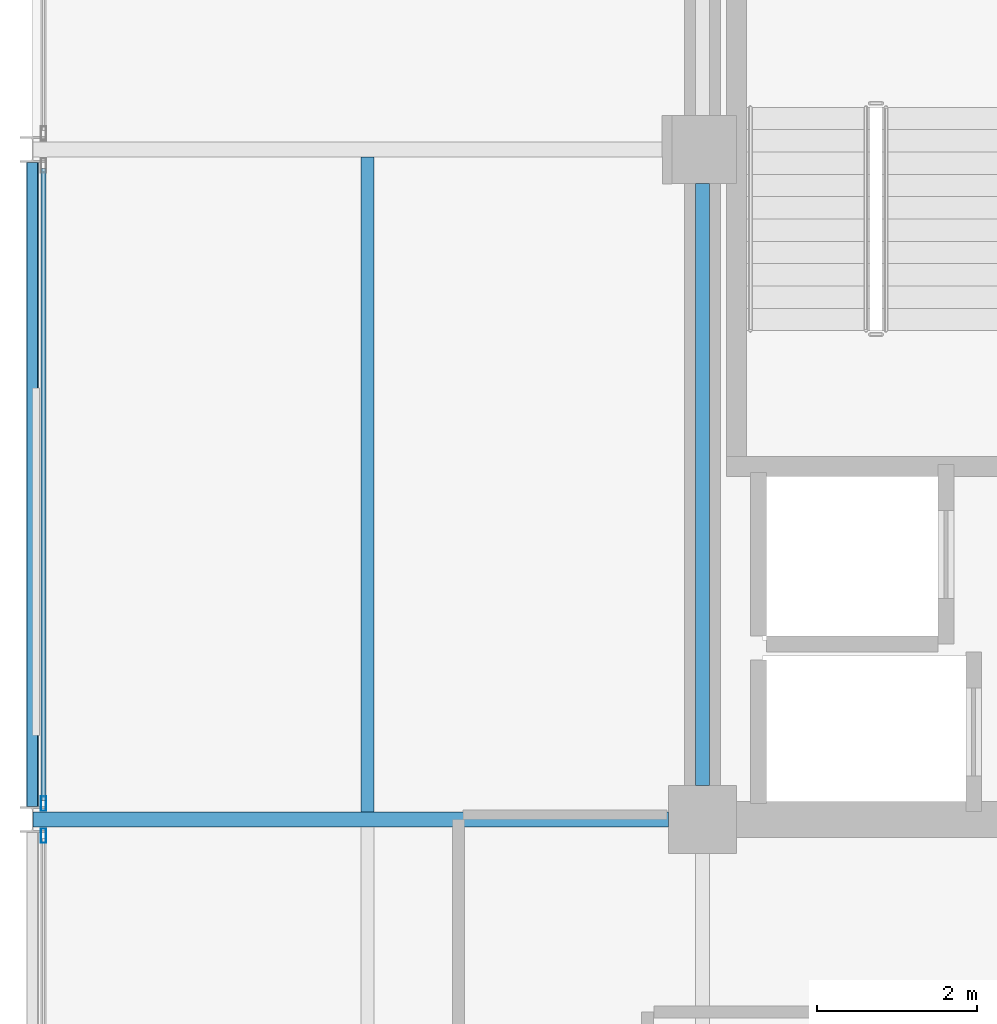
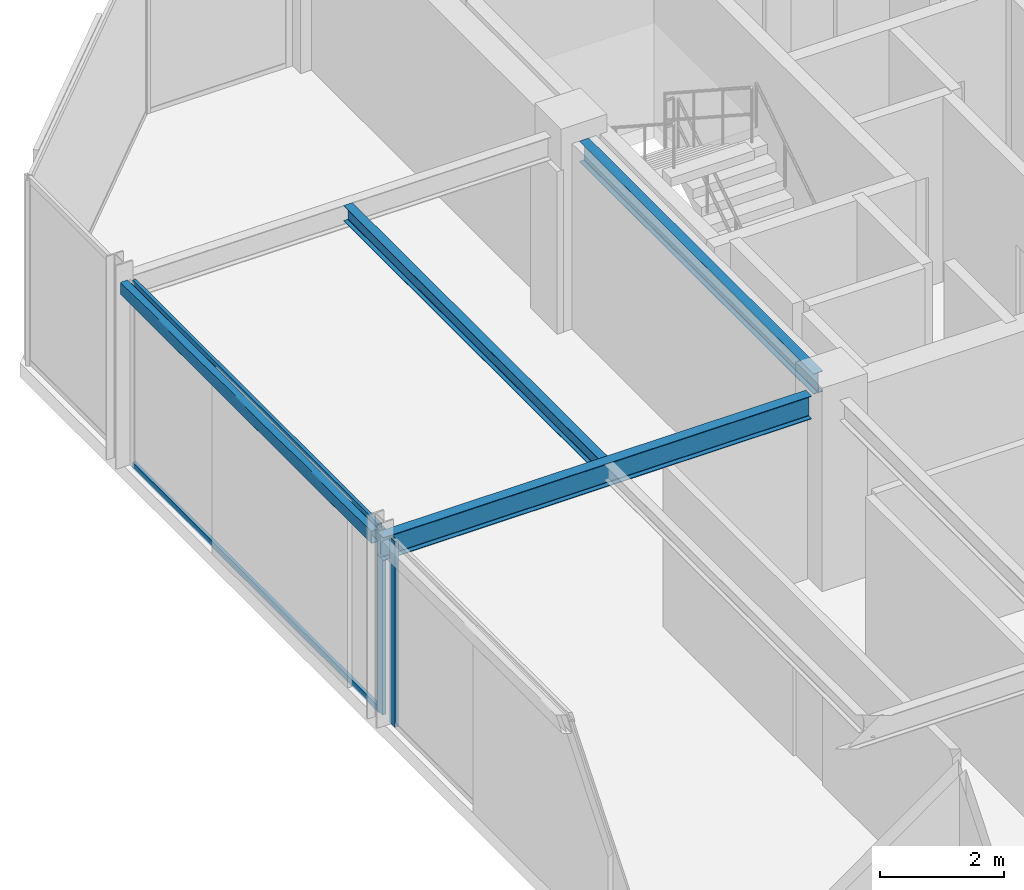
# One storey, part 11 of 26: 4 beams, 4 members, 2 elements without a shape of their own.
"""IFC4 building model written with IfcOpenShell, lengths in metres."""

from ifc_helpers import new_model, si_unit, direction, frame, origin, origin_2d, place, context, subcontext, project, spatial, hollow_rectangle, i_section, extrude, material, layer, layer_set, material_profile, profile_set, type_object, element, aggregate, save


model = new_model("IFC4")

# Units and contexts
model_context = context("Model", 3, precision=1e-05, world=origin(), true_north=direction((0.0, 1.0)))
body_context = subcontext(model_context, "Body", "Model", "MODEL_VIEW")
ifc_project = project(units=[si_unit("LENGTHUNIT", "METRE"), si_unit("AREAUNIT", "SQUARE_METRE"), si_unit("VOLUMEUNIT", "CUBIC_METRE"), si_unit("PLANEANGLEUNIT", "RADIAN"), si_unit("MASSUNIT", "GRAM", prefix="KILO")], contexts=[model_context])

# Site, building, storey
site_placement = place(None, origin())
site = spatial("IfcSite", under=ifc_project, at=site_placement, CompositionType="ELEMENT")
building_placement = place(site_placement, origin())
building = spatial("IfcBuilding", under=site, at=building_placement, Name="Nerrivon Quay Data Exchange", CompositionType="ELEMENT")
storey_placement = place(building_placement, frame((0.0, 0.0, 282.199951171875)))
storey = spatial("IfcBuildingStorey", under=building, at=storey_placement, Name="L67", CompositionType="ELEMENT", Elevation=282.199951171875)

# Beams
ifc_material_1 = material(Name="Steel Grade 350", Category="steel")
ifc_material_profile_1 = material_profile(ifc_material_1, i_section(OverallWidth=0.18994140625, OverallDepth=0.4541015625, WebThickness=0.008544921875, FlangeThickness=0.0126953125, FilletRadius=0.011474609375, at=origin_2d()), Name="460UB67.1")
ifc_profile_set_1 = profile_set([ifc_material_profile_1], Name="Steel Grade 350")
beam_type_1 = type_object("IfcBeamType", Name="BM-G6-460UB67", PredefinedType="BEAM", material=ifc_profile_set_1)
beam_1_placement = place(storey_placement, frame((0.0078125, 25.199951171875, 3.423095703125), z_axis=(1.0, 0.0, 0.0), x_axis=(0.0, 1.0, 0.0)))
element("IfcBeam", 1, at=beam_1_placement, inside=storey, type_object=beam_type_1, Name="L67 EW Girder Y=25.2 (0.0..8.4)", PredefinedType="BEAM", context=body_context, shape_type="SweptSolid", body=[
    extrude(i_section(OverallWidth=0.18994140625, OverallDepth=0.4541015625, WebThickness=0.008544921875, FlangeThickness=0.0126953125, FilletRadius=0.011474609375, at=origin_2d()), origin(), (0.0, 0.0, 1.0), 7.96728515625),
])
ifc_material_profile_2 = material_profile(ifc_material_1, i_section(OverallWidth=0.177978515625, OverallDepth=0.406005859375, WebThickness=0.0078125, FlangeThickness=0.0126953125, FilletRadius=0.011474609375, at=origin_2d()), Name="410UB59.7")
ifc_profile_set_2 = profile_set([ifc_material_profile_2], Name="Steel Grade 350")
beam_type_2 = type_object("IfcBeamType", Name="BM-J1-410UB60", PredefinedType="JOIST", material=ifc_profile_set_2)
beam_2_placement = place(storey_placement, frame((8.39990234375, 25.625, 3.447021484375), z_axis=(0.0, 1.0, 0.0), x_axis=(-1.0, 0.0, 0.0)))
element("IfcBeam", 2, at=beam_2_placement, inside=storey, type_object=beam_type_2, Name="L67 NS Girder X=8.4 (25.2..33.6)", PredefinedType="JOIST", context=body_context, shape_type="SweptSolid", body=[
    extrude(i_section(OverallWidth=0.177978515625, OverallDepth=0.406005859375, WebThickness=0.0078125, FlangeThickness=0.0126953125, FilletRadius=0.011474609375, at=origin_2d()), origin(), (0.0, 0.0, 1.0), 7.550048828125),
])
ifc_material_profile_3 = material_profile(ifc_material_1, i_section(OverallWidth=0.1650390625, OverallDepth=0.303955078125, WebThickness=0.006103515625, FlangeThickness=0.01025390625, FilletRadius=0.011474609375, at=origin_2d()), Name="310UB40.4")
ifc_profile_set_3 = profile_set([ifc_material_profile_3], Name="Steel Grade 350")
beam_type_3 = type_object("IfcBeamType", Name="BM-J6-310UB40", PredefinedType="JOIST", material=ifc_profile_set_3)
beam_3_placement = place(storey_placement, frame((4.199951171875, 25.294921875, 3.498046875), z_axis=(0.0, 1.0, 0.0), x_axis=(-1.0, 0.0, 0.0)))
element("IfcBeam", 3, at=beam_3_placement, inside=storey, type_object=beam_type_3, Name="L67 Secondary Joist X=4.2 (25.2..33.6)", PredefinedType="JOIST", context=body_context, shape_type="SweptSolid", body=[
    extrude(i_section(OverallWidth=0.1650390625, OverallDepth=0.303955078125, WebThickness=0.006103515625, FlangeThickness=0.01025390625, FilletRadius=0.011474609375, at=origin_2d()), origin(), (0.0, 0.0, 1.0), 8.2099609375),
])
ifc_material_2 = material(Name="Steel Grade C350L0 (350 MPa)", Category="steel")
ifc_material_profile_4 = material_profile(ifc_material_2, hollow_rectangle(XDim=0.14990234375, YDim=0.25, WallThickness=0.009033203125, InnerFilletRadius=0.013427734375, OuterFilletRadius=0.0224609375, at=origin_2d()), Name="250x150x9.0RHS")
ifc_profile_set_4 = profile_set([ifc_material_profile_4], Name="Steel Grade C350L0 (350 MPa)")
beam_type_4 = type_object("IfcBeamType", Name="BM-SP4-250x150RHS", PredefinedType="SPANDREL", material=ifc_profile_set_4)
beam_4_placement = place(storey_placement, frame((0.0, 25.363525390625, 3.525146484375), z_axis=(0.0, 1.0, 0.0), x_axis=(-1.0, 0.0, 0.0)))
element("IfcBeam", 4, at=beam_4_placement, inside=storey, type_object=beam_type_4, Name="L67 NS Girder X=0.0 (25.2..33.6)", PredefinedType="SPANDREL", context=body_context, shape_type="SweptSolid", body=[
    extrude(hollow_rectangle(XDim=0.14990234375, YDim=0.25, WallThickness=0.009033203125, InnerFilletRadius=0.013427734375, OuterFilletRadius=0.0224609375, at=origin_2d()), origin(), (0.0, 0.0, 1.0), 8.072998046875),
])

# Curtain wall, member
ifc_material_3 = material(Name="Anodised aluminium 6063-T6", Category="aluminium")
ifc_layer = layer(ifc_material_3, 0.195068359375)
ifc_layer_set = layer_set([ifc_layer], Name="Anodised aluminium 6063-T6")
curtain_wall_type = type_object("IfcCurtainWallType", Name="CW-SYS-06", PredefinedType="NOTDEFINED", material=ifc_layer_set)
curtain_wall_1_placement = place(storey_placement, origin())
curtain_wall_1 = element("IfcCurtainWall", 5, at=curtain_wall_1_placement, inside=storey, type_object=curtain_wall_type, Name="L67 Unitised Curtain Wall 13", PredefinedType="NOTDEFINED")
ifc_material_profile_5 = material_profile(ifc_material_3, hollow_rectangle(XDim=0.06494140625, YDim=0.179931640625, WallThickness=0.00341796875, at=origin_2d()), Name="ALU-MULL-180x65")
ifc_profile_set_5 = profile_set([ifc_material_profile_5], Name="Anodised aluminium 6063-T6")
member_type_1 = type_object("IfcMemberType", Name="CWM-180x65", PredefinedType="MULLION", material=ifc_profile_set_5)
member_1_placement = place(storey_placement, frame((0.139892578125, 24.9990234375, 0.0), z_axis=(0.0, 0.0, 1.0), x_axis=(-1.0, 0.0, 0.0)))
member_1 = element("IfcMember", 6, at=member_1_placement, type_object=member_type_1, Name="CW06 mullion 2", PredefinedType="MULLION", context=body_context, shape_type="SweptSolid", body=[
    extrude(hollow_rectangle(XDim=0.06494140625, YDim=0.179931640625, WallThickness=0.00341796875, at=origin_2d()), origin(), (0.0, 0.0, 1.0), 3.650146484375),
])
aggregate(curtain_wall_1, [member_1])

# Curtain wall, members
curtain_wall_2_placement = place(storey_placement, origin())
curtain_wall_2 = element("IfcCurtainWall", 7, at=curtain_wall_2_placement, inside=storey, type_object=curtain_wall_type, Name="L67 Unitised Curtain Wall 14", PredefinedType="NOTDEFINED")
member_2_placement = place(storey_placement, frame((0.139892578125, 25.40087890625, 0.0), z_axis=(0.0, 0.0, 1.0), x_axis=(-1.0, 0.0, 0.0)))
member_2 = element("IfcMember", 8, at=member_2_placement, type_object=member_type_1, Name="CW06 mullion 1", PredefinedType="MULLION", context=body_context, shape_type="SweptSolid", body=[
    extrude(hollow_rectangle(XDim=0.06494140625, YDim=0.179931640625, WallThickness=0.00341796875, at=origin_2d()), origin(), (0.0, 0.0, 1.0), 3.650146484375),
])
ifc_material_profile_6 = material_profile(ifc_material_3, hollow_rectangle(XDim=0.06005859375, YDim=0.1201171875, WallThickness=0.003173828125, at=origin_2d()), Name="ALU-TRAN-120x60")
ifc_profile_set_6 = profile_set([ifc_material_profile_6], Name="Anodised aluminium 6063-T6")
member_type_2 = type_object("IfcMemberType", Name="CWT-120x60", PredefinedType="USERDEFINED", material=ifc_profile_set_6)
member_3_placement = place(storey_placement, frame((0.139892578125, 25.4384765625, 0.032470703125), z_axis=(0.0, 1.0, 0.0), x_axis=(-1.0, 0.0, 0.0)))
member_3 = element("IfcMember", 9, at=member_3_placement, type_object=member_type_2, Name="CW06 transom 1.1", ObjectType="TRANSOM", PredefinedType="USERDEFINED", context=body_context, shape_type="SweptSolid", body=[
    extrude(hollow_rectangle(XDim=0.06005859375, YDim=0.1201171875, WallThickness=0.003173828125, at=origin_2d()), origin(), (0.0, 0.0, 1.0), 7.923095703125),
])
member_4_placement = place(storey_placement, frame((0.139892578125, 25.4384765625, 3.617431640625), z_axis=(0.0, 1.0, 0.0), x_axis=(-1.0, 0.0, 0.0)))
member_4 = element("IfcMember", 10, at=member_4_placement, type_object=member_type_2, Name="CW06 transom 1.2", ObjectType="TRANSOM", PredefinedType="USERDEFINED", context=body_context, shape_type="SweptSolid", body=[
    extrude(hollow_rectangle(XDim=0.06005859375, YDim=0.1201171875, WallThickness=0.003173828125, at=origin_2d()), origin(), (0.0, 0.0, 1.0), 7.923095703125),
])
aggregate(curtain_wall_2, [member_2, member_3, member_4])

save(model, "model.ifc")
